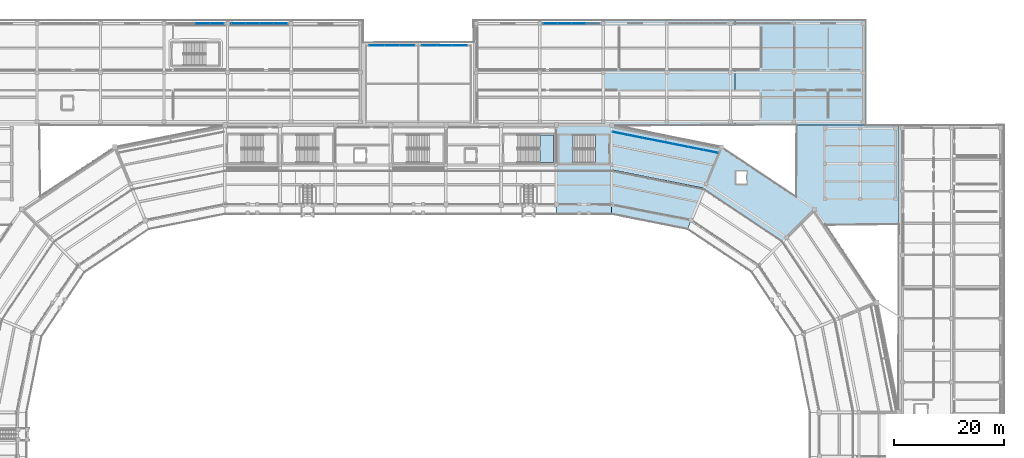
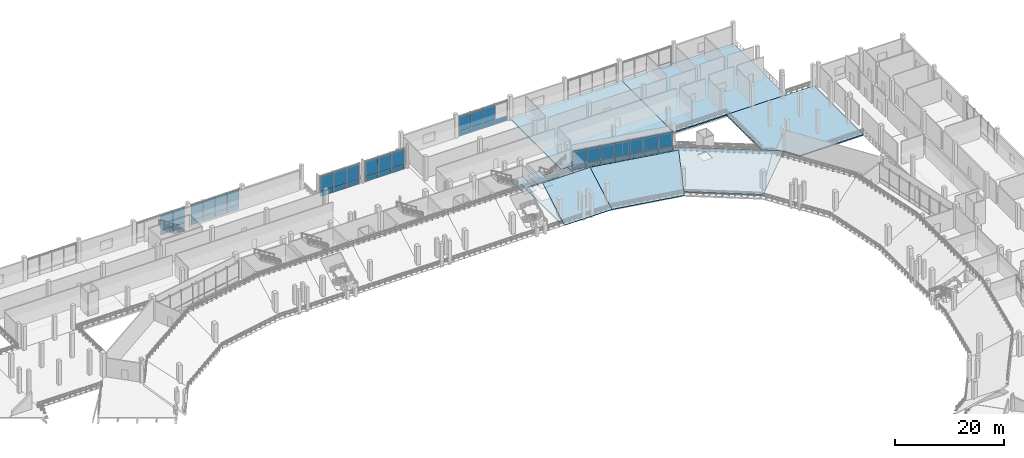
# One storey, part 70 of 127: 45 plates, 10 slabs, 8 elements without a shape of their own.
"""IFC4 building model written with IfcOpenShell, lengths in metres."""

from ifc_helpers import new_model, si_unit, direction, frame, origin, origin_2d, place, context, subcontext, project, spatial, polyline, rectangle, outline, extrude, material, layer, layer_set, type_object, element, aggregate, save


model = new_model("IFC4")

# Units and contexts
model_context = context("Model", 3, precision=1e-05, world=origin(), true_north=direction((0.0, 1.0)))
body_context = subcontext(model_context, "Body", "Model", "MODEL_VIEW")
ifc_project = project(units=[si_unit("LENGTHUNIT", "METRE"), si_unit("AREAUNIT", "SQUARE_METRE"), si_unit("VOLUMEUNIT", "CUBIC_METRE"), si_unit("PLANEANGLEUNIT", "RADIAN"), si_unit("MASSUNIT", "GRAM", prefix="KILO")], contexts=[model_context])

# Site, building, storey
site_placement = place(None, origin())
site = spatial("IfcSite", under=ifc_project, at=site_placement, CompositionType="ELEMENT")
building_placement = place(site_placement, origin())
building = spatial("IfcBuilding", under=site, at=building_placement, Name="Candeia Ridge Stadium", CompositionType="ELEMENT")
storey_placement = place(building_placement, frame((0.0, 0.0, 10.800048828125)))
storey = spatial("IfcBuildingStorey", under=building, at=storey_placement, Name="L02", CompositionType="ELEMENT", Elevation=10.800048828125)

# Slabs
ifc_material_1 = material(Name="Precast concrete C45/55", Category="concrete")
ifc_layer_1 = layer(ifc_material_1, 0.22509765625, Name="Precast concrete C45/55", Category="concrete")
ifc_layer_set_1 = layer_set([ifc_layer_1], Name="Precast concrete C45/55")
slab_type_1 = type_object("IfcSlabType", Name="Club Seating Tier Precast 225", PredefinedType="USERDEFINED", material=ifc_layer_set_1)
slab_1_placement = place(storey_placement, frame((141.0, 130.800048828125, 0.39990234375), z_axis=(0.0, -0.494386728352, 0.869242062276), x_axis=(-1.0, 0.0, 0.0)))
element("IfcSlab", 1, at=slab_1_placement, inside=storey, type_object=slab_type_1, Name="Stand Club Tier Stands Bay 01", ObjectType="SEATING TIER", PredefinedType="USERDEFINED", context=body_context, shape_type="SweptSolid", body=[
    extrude(outline(polyline([(0.0, 0.0), (10.0, 0.0), (10.0, -9.203420252184602), (0.0, -9.203420252184602), (0.0, 0.0)])), origin(), (0.0, 0.0, -1.0), 0.22509765625),
])
slab_2_placement = place(storey_placement, frame((154.699951171875, 128.074951171875, 0.39990234375), z_axis=(-0.097864069881, -0.492009659407, 0.86507174204), x_axis=(-0.980785461692, 0.195089410595, 2.563371e-06)))
element("IfcSlab", 2, at=slab_2_placement, inside=storey, type_object=slab_type_1, Name="Stand Club Tier Stands Bay 36", ObjectType="SEATING TIER", PredefinedType="USERDEFINED", context=body_context, shape_type="SweptSolid", body=[
    extrude(outline(polyline([(0.0, 0.0), (13.96835063084204, 0.0), (15.529077579060049, -9.070119940205563), (-1.5612369801437325, -9.070278646793197), (0.0, 0.0)])), origin(), (0.0, 0.0, -1.0), 0.22509765625),
])
ifc_material_2 = material(Name="Concrete C40/50", Category="concrete")
ifc_layer_2 = layer(ifc_material_2, 0.260009765625, Name="Concrete C40/50", Category="concrete")
ifc_layer_set_2 = layer_set([ifc_layer_2], Name="Concrete C40/50")
slab_type_2 = type_object("IfcSlabType", Name="Concourse Structural Slab 260", PredefinedType="FLOOR", material=ifc_layer_set_2)
slab_3_placement = place(storey_placement, frame((0.0, 0.0, -0.260009765625)))
element("IfcSlab", 3, at=slab_3_placement, inside=storey, type_object=slab_type_2, Name="Wing floor slab ne_n SLB-L02-0269", PredefinedType="FLOOR", context=body_context, shape_type="SweptSolid", body=[
    extrude(outline(polyline([(139.666748046875, 147.0), (139.666748046875, 166.0), (163.333251953125, 166.0), (163.333251953125, 147.0), (139.666748046875, 147.0)])), origin(), (0.0, 0.0, 1.0), 0.260009765625),
])
slab_4_placement = place(storey_placement, frame((0.0, 0.0, -0.260009765625)))
element("IfcSlab", 4, at=slab_4_placement, inside=storey, type_object=slab_type_2, Name="Wing floor slab ne_n SLB-L02-0270", PredefinedType="FLOOR", context=body_context, shape_type="SweptSolid", body=[
    extrude(outline(polyline([(163.333251953125, 147.0), (163.333251953125, 166.0), (187.0, 166.0), (187.0, 147.0), (163.333251953125, 147.0)])), origin(), (0.0, 0.0, 1.0), 0.260009765625),
])

# Stair, slab
stair_type = type_object("IfcStairType", Name="Enclosed Core Half-Turn Stair 2450", PredefinedType="HALF_TURN_STAIR", material=ifc_material_2)
stair_1_placement = place(storey_placement, origin())
stair_1 = element("IfcStair", 5, at=stair_1_placement, inside=storey, type_object=stair_type, Name="L02 Enclosed exit stair ST04", PredefinedType="HALF_TURN_STAIR")
ifc_layer_3 = layer(ifc_material_2, 0.199951171875, Name="Concrete C40/50", Category="concrete")
ifc_layer_set_3 = layer_set([ifc_layer_3], Name="Concrete C40/50")
slab_type_3 = type_object("IfcSlabType", Name="Core Stair Landing Slab 200", PredefinedType="LANDING", material=ifc_layer_set_3)
slab_5_placement = place(storey_placement, frame((0.0, 0.0, 2.5)))
slab_5 = element("IfcSlab", 6, at=slab_5_placement, type_object=slab_type_3, Name="ST04 landing 1", PredefinedType="LANDING", context=body_context, shape_type="SweptSolid", body=[
    extrude(outline(polyline([(133.989990234375, 145.199951171875), (131.5, 145.199951171875), (131.5, 140.14990234375), (133.989990234375, 140.14990234375), (133.989990234375, 145.199951171875)])), origin(), (0.0, 0.0, 1.0), 0.199951171875),
])
aggregate(stair_1, [slab_5])

stair_2_placement = place(storey_placement, origin())
stair_2 = element("IfcStair", 7, at=stair_2_placement, inside=storey, type_object=stair_type, Name="L02 Enclosed exit stair ST10", PredefinedType="HALF_TURN_STAIR")
slab_6_placement = place(storey_placement, frame((0.0, 0.0, 2.5)))
slab_6 = element("IfcSlab", 8, at=slab_6_placement, type_object=slab_type_3, Name="ST10 landing 1", PredefinedType="LANDING", context=body_context, shape_type="SweptSolid", body=[
    extrude(outline(polyline([(128.010009765625, 140.199951171875), (130.5, 140.199951171875), (130.5, 145.25), (128.010009765625, 145.25), (128.010009765625, 140.199951171875)])), origin(), (0.0, 0.0, 1.0), 0.199951171875),
])
aggregate(stair_2, [slab_6])

# Curtain wall, plates
ifc_material_3 = material(Name="Aluminium Anodized Warm Bronze", Category="aluminium")
curtain_wall_type_1 = type_object("IfcCurtainWallType", Name="Cardinal Entrance Gate Tall Glazed Curtain Wall", PredefinedType="NOTDEFINED", material=ifc_material_3)
curtain_wall_1_placement = place(storey_placement, origin())
curtain_wall_1 = element("IfcCurtainWall", 9, at=curtain_wall_1_placement, inside=storey, type_object=curtain_wall_type_1, Name="Unitised curtain wall CW-WNG-L02-155", PredefinedType="NOTDEFINED")
ifc_material_4 = material(Name="Laminated Acoustic Glazing", Category="glass")
ifc_layer_4 = layer(ifc_material_4, 0.035888671875, Name="Laminated Acoustic Glazing", Category="glass")
ifc_layer_set_4 = layer_set([ifc_layer_4], Name="Laminated Acoustic Glazing")
plate_type_1 = type_object("IfcPlateType", Name="Gate Tall Laminated Glass Panel GP3", PredefinedType="CURTAIN_PANEL", material=ifc_layer_set_4)
plate_1_placement = place(storey_placement, frame((98.523193359375, 161.39990234375, 1.139892578125), z_axis=(0.0, 0.0, 1.0), x_axis=(1.0, 0.0, 0.0)))
plate_1 = element("IfcPlate", 10, at=plate_1_placement, type_object=plate_type_1, Name="Curtain wall vision glass panel CW-WNG-L02-155-GP0", PredefinedType="CURTAIN_PANEL", context=body_context, shape_type="SweptSolid", body=[
    extrude(rectangle(XDim=2.65673828125, YDim=0.035888671875, at=origin_2d()), origin(), (0.0, 0.0, 1.0), 3.39208984375),
])
plate_2_placement = place(storey_placement, frame((101.25, 161.39990234375, 1.139892578125), z_axis=(0.0, 0.0, 1.0), x_axis=(1.0, 0.0, 0.0)))
plate_2 = element("IfcPlate", 11, at=plate_2_placement, type_object=plate_type_1, Name="Curtain wall vision glass panel CW-WNG-L02-155-GP1", PredefinedType="CURTAIN_PANEL", context=body_context, shape_type="SweptSolid", body=[
    extrude(rectangle(XDim=2.65673828125, YDim=0.035888671875, at=origin_2d()), origin(), (0.0, 0.0, 1.0), 3.39208984375),
])
plate_3_placement = place(storey_placement, frame((103.976806640625, 161.39990234375, 1.139892578125), z_axis=(0.0, 0.0, 1.0), x_axis=(1.0, 0.0, 0.0)))
plate_3 = element("IfcPlate", 12, at=plate_3_placement, type_object=plate_type_1, Name="Curtain wall vision glass panel CW-WNG-L02-155-GP2", PredefinedType="CURTAIN_PANEL", context=body_context, shape_type="SweptSolid", body=[
    extrude(rectangle(XDim=2.65673828125, YDim=0.035888671875, at=origin_2d()), origin(), (0.0, 0.0, 1.0), 3.39208984375),
])

curtain_wall_2_placement = place(storey_placement, origin())
curtain_wall_2 = element("IfcCurtainWall", 13, at=curtain_wall_2_placement, inside=storey, type_object=curtain_wall_type_1, Name="Unitised curtain wall CW-WNG-L02-156", PredefinedType="NOTDEFINED")
plate_4_placement = place(storey_placement, frame((108.023193359375, 161.39990234375, 1.139892578125), z_axis=(0.0, 0.0, 1.0), x_axis=(1.0, 0.0, 0.0)))
plate_4 = element("IfcPlate", 14, at=plate_4_placement, type_object=plate_type_1, Name="Curtain wall vision glass panel CW-WNG-L02-156-GP0", PredefinedType="CURTAIN_PANEL", context=body_context, shape_type="SweptSolid", body=[
    extrude(rectangle(XDim=2.65673828125, YDim=0.035888671875, at=origin_2d()), origin(), (0.0, 0.0, 1.0), 3.39208984375),
])
plate_5_placement = place(storey_placement, frame((110.75, 161.39990234375, 1.139892578125), z_axis=(0.0, 0.0, 1.0), x_axis=(1.0, 0.0, 0.0)))
plate_5 = element("IfcPlate", 15, at=plate_5_placement, type_object=plate_type_1, Name="Curtain wall vision glass panel CW-WNG-L02-156-GP1", PredefinedType="CURTAIN_PANEL", context=body_context, shape_type="SweptSolid", body=[
    extrude(rectangle(XDim=2.65673828125, YDim=0.035888671875, at=origin_2d()), origin(), (0.0, 0.0, 1.0), 3.39208984375),
])
plate_6_placement = place(storey_placement, frame((113.476806640625, 161.39990234375, 1.139892578125), z_axis=(0.0, 0.0, 1.0), x_axis=(1.0, 0.0, 0.0)))
plate_6 = element("IfcPlate", 16, at=plate_6_placement, type_object=plate_type_1, Name="Curtain wall vision glass panel CW-WNG-L02-156-GP2", PredefinedType="CURTAIN_PANEL", context=body_context, shape_type="SweptSolid", body=[
    extrude(rectangle(XDim=2.65673828125, YDim=0.035888671875, at=origin_2d()), origin(), (0.0, 0.0, 1.0), 3.39208984375),
])

# Slabs
ifc_layer_5 = layer(ifc_material_2, 0.25, Name="Concrete C40/50", Category="concrete")
ifc_layer_set_5 = layer_set([ifc_layer_5], Name="Concrete C40/50")
slab_type_4 = type_object("IfcSlabType", Name="Hospitality & Museum Slab 250", PredefinedType="FLOOR", material=ifc_layer_set_5)
slab_7_placement = place(storey_placement, frame((0.0, 0.0, -0.25)))
element("IfcSlab", 17, at=slab_7_placement, inside=storey, type_object=slab_type_4, Name="Bowl concourse sector slab L02 bay 01 SLB-L02-0073", PredefinedType="FLOOR", context=body_context, shape_type="SweptSolid", body=[
    extrude(outline(polyline([(131.0, 132.60009765625), (131.0, 147.0), (140.9599609375, 147.0), (140.9599609375, 132.60009765625), (131.0, 132.60009765625)]), holes=[polyline([(138.04931640625, 145.199951171875), (131.5, 145.199951171875), (131.5, 140.14990234375), (138.04931640625, 140.14990234375), (138.04931640625, 145.199951171875)])]), origin(), (0.0, 0.0, 1.0), 0.25),
])
slab_8_placement = place(storey_placement, frame((0.0, 0.0, -0.25)))
element("IfcSlab", 18, at=slab_8_placement, inside=storey, type_object=slab_type_4, Name="Bowl concourse sector slab L02 bay 35 SLB-L02-0107", PredefinedType="FLOOR", context=body_context, shape_type="SweptSolid", body=[
    extrude(outline(polyline([(155.388916015625, 129.73779296875), (160.8994140625, 143.041748046875), (177.76953125, 131.76953125), (167.587158203125, 121.587158203125), (155.388916015625, 129.73779296875)]), holes=[polyline([(165.449951171875, 136.35009765625), (165.449951171875, 138.64990234375), (163.550048828125, 138.64990234375), (163.550048828125, 136.35009765625), (165.449951171875, 136.35009765625)])]), origin(), (0.0, 0.0, 1.0), 0.25),
])
slab_9_placement = place(storey_placement, frame((0.0, 0.0, -0.25)))
element("IfcSlab", 19, at=slab_9_placement, inside=storey, type_object=slab_type_4, Name="Bowl concourse sector slab L02 bay 36 SLB-L02-0108", PredefinedType="FLOOR", context=body_context, shape_type="SweptSolid", body=[
    extrude(outline(polyline([(141.039306640625, 132.59228515625), (141.039306640625, 146.9921875), (160.8994140625, 143.041748046875), (155.388916015625, 129.73779296875), (141.039306640625, 132.59228515625)])), origin(), (0.0, 0.0, 1.0), 0.25),
])
slab_10_placement = place(storey_placement, frame((0.0, 0.0, -0.25)))
element("IfcSlab", 20, at=slab_10_placement, inside=storey, type_object=slab_type_4, Name="Wing floor slab sp_ne SLB-L02-0275", PredefinedType="FLOOR", context=body_context, shape_type="SweptSolid", body=[
    extrude(outline(polyline([(193.0, 147.0), (193.0, 129.0), (179.626220703125, 129.0), (177.773681640625, 131.772216796875), (177.7734375, 131.772705078125), (177.773193359375, 131.773193359375), (177.772705078125, 131.7734375), (177.772216796875, 131.773681640625), (174.5, 133.960205078125), (174.5, 147.0), (193.0, 147.0)])), origin(), (0.0, 0.0, 1.0), 0.25),
])

# Curtain wall, plates
curtain_wall_type_2 = type_object("IfcCurtainWallType", Name="Concourse Recessed Unitised Curtain Wall", PredefinedType="NOTDEFINED", material=ifc_material_3)
curtain_wall_3_placement = place(storey_placement, origin())
curtain_wall_3 = element("IfcCurtainWall", 21, at=curtain_wall_3_placement, inside=storey, type_object=curtain_wall_type_2, Name="Unitised curtain wall CW-BWL-L02-35", PredefinedType="NOTDEFINED")
ifc_material_5 = material(Name="Aluminium Insulated Spandrel", Category="aluminium")
ifc_layer_6 = layer(ifc_material_5, 0.06494140625, Name="Aluminium Insulated Spandrel", Category="aluminium")
ifc_layer_set_6 = layer_set([ifc_layer_6], Name="Aluminium Insulated Spandrel")
plate_type_2 = type_object("IfcPlateType", Name="Insulated Bronze Spandrel Panel SP2", PredefinedType="CURTAIN_PANEL", material=ifc_layer_set_6)
plate_7_placement = place(storey_placement, frame((158.900390625, 142.239501953125, 0.0400390625), z_axis=(0.0, 0.0, 1.0), x_axis=(-0.980785280696, 0.195090320544, 0.0)))
plate_7 = element("IfcPlate", 22, at=plate_7_placement, type_object=plate_type_2, Name="Curtain wall spandrel panel CW-BWL-L02-35-SP0", PredefinedType="CURTAIN_PANEL", context=body_context, shape_type="SweptSolid", body=[
    extrude(rectangle(XDim=2.710205078125, YDim=0.06494140625, at=origin_2d()), origin(), (0.0, 0.0, 1.0), 0.973876953125),
])
plate_8_placement = place(storey_placement, frame((156.173583984375, 142.78173828125, 0.0400390625), z_axis=(0.0, 0.0, 1.0), x_axis=(-0.980785280696, 0.195090320544, 0.0)))
plate_8 = element("IfcPlate", 23, at=plate_8_placement, type_object=plate_type_2, Name="Curtain wall spandrel panel CW-BWL-L02-35-SP1", PredefinedType="CURTAIN_PANEL", context=body_context, shape_type="SweptSolid", body=[
    extrude(rectangle(XDim=2.710205078125, YDim=0.06494140625, at=origin_2d()), origin(), (0.0, 0.0, 1.0), 0.973876953125),
])
plate_9_placement = place(storey_placement, frame((153.447021484375, 143.32421875, 0.0400390625), z_axis=(0.0, 0.0, 1.0), x_axis=(-0.980785280696, 0.195090320544, 0.0)))
plate_9 = element("IfcPlate", 24, at=plate_9_placement, type_object=plate_type_2, Name="Curtain wall spandrel panel CW-BWL-L02-35-SP2", PredefinedType="CURTAIN_PANEL", context=body_context, shape_type="SweptSolid", body=[
    extrude(rectangle(XDim=2.710205078125, YDim=0.06494140625, at=origin_2d()), origin(), (0.0, 0.0, 1.0), 0.973876953125),
])
plate_10_placement = place(storey_placement, frame((150.72021484375, 143.86669921875, 0.0400390625), z_axis=(0.0, 0.0, 1.0), x_axis=(-0.980785280696, 0.195090320544, 0.0)))
plate_10 = element("IfcPlate", 25, at=plate_10_placement, type_object=plate_type_2, Name="Curtain wall spandrel panel CW-BWL-L02-35-SP3", PredefinedType="CURTAIN_PANEL", context=body_context, shape_type="SweptSolid", body=[
    extrude(rectangle(XDim=2.710205078125, YDim=0.06494140625, at=origin_2d()), origin(), (0.0, 0.0, 1.0), 0.973876953125),
])
plate_11_placement = place(storey_placement, frame((147.993408203125, 144.408935546875, 0.0400390625), z_axis=(0.0, 0.0, 1.0), x_axis=(-0.980785280696, 0.195090320544, 0.0)))
plate_11 = element("IfcPlate", 26, at=plate_11_placement, type_object=plate_type_2, Name="Curtain wall spandrel panel CW-BWL-L02-35-SP4", PredefinedType="CURTAIN_PANEL", context=body_context, shape_type="SweptSolid", body=[
    extrude(rectangle(XDim=2.710205078125, YDim=0.06494140625, at=origin_2d()), origin(), (0.0, 0.0, 1.0), 0.973876953125),
])
plate_12_placement = place(storey_placement, frame((145.2666015625, 144.951416015625, 0.0400390625), z_axis=(0.0, 0.0, 1.0), x_axis=(-0.980785280696, 0.195090320544, 0.0)))
plate_12 = element("IfcPlate", 27, at=plate_12_placement, type_object=plate_type_2, Name="Curtain wall spandrel panel CW-BWL-L02-35-SP5", PredefinedType="CURTAIN_PANEL", context=body_context, shape_type="SweptSolid", body=[
    extrude(rectangle(XDim=2.710205078125, YDim=0.06494140625, at=origin_2d()), origin(), (0.0, 0.0, 1.0), 0.973876953125),
])
plate_13_placement = place(storey_placement, frame((142.539794921875, 145.49365234375, 0.0400390625), z_axis=(0.0, 0.0, 1.0), x_axis=(-0.980785280696, 0.195090320544, 0.0)))
plate_13 = element("IfcPlate", 28, at=plate_13_placement, type_object=plate_type_2, Name="Curtain wall spandrel panel CW-BWL-L02-35-SP6", PredefinedType="CURTAIN_PANEL", context=body_context, shape_type="SweptSolid", body=[
    extrude(rectangle(XDim=2.710205078125, YDim=0.06494140625, at=origin_2d()), origin(), (0.0, 0.0, 1.0), 0.973876953125),
])

curtain_wall_type_3 = type_object("IfcCurtainWallType", Name="Museum & Boulevard Showcase Curtain Wall", PredefinedType="NOTDEFINED", material=ifc_material_3)
curtain_wall_4_placement = place(storey_placement, origin())
curtain_wall_4 = element("IfcCurtainWall", 29, at=curtain_wall_4_placement, inside=storey, type_object=curtain_wall_type_3, Name="Unitised curtain wall CW-WNG-L02-150", PredefinedType="NOTDEFINED")
ifc_layer_7 = layer(ifc_material_5, 0.06494140625, Name="Aluminium Insulated Spandrel", Category="aluminium")
ifc_layer_set_7 = layer_set([ifc_layer_7], Name="Aluminium Insulated Spandrel")
plate_type_3 = type_object("IfcPlateType", Name="Insulated Cedar-Tone Spandrel Panel SP3", PredefinedType="CURTAIN_PANEL", material=ifc_layer_set_7)
plate_14_placement = place(storey_placement, frame((67.0224609375, 165.39990234375, 0.0400390625), z_axis=(0.0, 0.0, 1.0), x_axis=(1.0, 0.0, 0.0)))
plate_14 = element("IfcPlate", 30, at=plate_14_placement, type_object=plate_type_3, Name="Curtain wall spandrel panel CW-WNG-L02-150-SP2", PredefinedType="CURTAIN_PANEL", context=body_context, shape_type="SweptSolid", body=[
    extrude(rectangle(XDim=2.47509765625, YDim=0.06494140625, at=origin_2d()), origin(), (0.0, 0.0, 1.0), 1.02001953125),
])
plate_15_placement = place(storey_placement, frame((69.5673828125, 165.39990234375, 0.0400390625), z_axis=(0.0, 0.0, 1.0), x_axis=(1.0, 0.0, 0.0)))
plate_15 = element("IfcPlate", 31, at=plate_15_placement, type_object=plate_type_3, Name="Curtain wall spandrel panel CW-WNG-L02-150-SP3", PredefinedType="CURTAIN_PANEL", context=body_context, shape_type="SweptSolid", body=[
    extrude(rectangle(XDim=2.47509765625, YDim=0.06494140625, at=origin_2d()), origin(), (0.0, 0.0, 1.0), 1.02001953125),
])

curtain_wall_5_placement = place(storey_placement, origin())
curtain_wall_5 = element("IfcCurtainWall", 32, at=curtain_wall_5_placement, inside=storey, type_object=curtain_wall_type_3, Name="Unitised curtain wall CW-WNG-L02-151", PredefinedType="NOTDEFINED")
plate_16_placement = place(storey_placement, frame((73.4326171875, 165.39990234375, 0.0400390625), z_axis=(0.0, 0.0, 1.0), x_axis=(1.0, 0.0, 0.0)))
plate_16 = element("IfcPlate", 33, at=plate_16_placement, type_object=plate_type_3, Name="Curtain wall spandrel panel CW-WNG-L02-151-SP0", PredefinedType="CURTAIN_PANEL", context=body_context, shape_type="SweptSolid", body=[
    extrude(rectangle(XDim=2.47509765625, YDim=0.06494140625, at=origin_2d()), origin(), (0.0, 0.0, 1.0), 1.02001953125),
])
plate_17_placement = place(storey_placement, frame((75.9775390625, 165.39990234375, 0.0400390625), z_axis=(0.0, 0.0, 1.0), x_axis=(1.0, 0.0, 0.0)))
plate_17 = element("IfcPlate", 34, at=plate_17_placement, type_object=plate_type_3, Name="Curtain wall spandrel panel CW-WNG-L02-151-SP1", PredefinedType="CURTAIN_PANEL", context=body_context, shape_type="SweptSolid", body=[
    extrude(rectangle(XDim=2.47509765625, YDim=0.06494140625, at=origin_2d()), origin(), (0.0, 0.0, 1.0), 1.02001953125),
])
plate_18_placement = place(storey_placement, frame((78.5224609375, 165.39990234375, 0.0400390625), z_axis=(0.0, 0.0, 1.0), x_axis=(1.0, 0.0, 0.0)))
plate_18 = element("IfcPlate", 35, at=plate_18_placement, type_object=plate_type_3, Name="Curtain wall spandrel panel CW-WNG-L02-151-SP2", PredefinedType="CURTAIN_PANEL", context=body_context, shape_type="SweptSolid", body=[
    extrude(rectangle(XDim=2.47509765625, YDim=0.06494140625, at=origin_2d()), origin(), (0.0, 0.0, 1.0), 1.02001953125),
])
plate_19_placement = place(storey_placement, frame((81.0673828125, 165.39990234375, 0.0400390625), z_axis=(0.0, 0.0, 1.0), x_axis=(1.0, 0.0, 0.0)))
plate_19 = element("IfcPlate", 36, at=plate_19_placement, type_object=plate_type_3, Name="Curtain wall spandrel panel CW-WNG-L02-151-SP3", PredefinedType="CURTAIN_PANEL", context=body_context, shape_type="SweptSolid", body=[
    extrude(rectangle(XDim=2.47509765625, YDim=0.06494140625, at=origin_2d()), origin(), (0.0, 0.0, 1.0), 1.02001953125),
])

curtain_wall_6_placement = place(storey_placement, origin())
curtain_wall_6 = element("IfcCurtainWall", 37, at=curtain_wall_6_placement, inside=storey, type_object=curtain_wall_type_3, Name="Unitised curtain wall CW-WNG-L02-152", PredefinedType="NOTDEFINED")
plate_20_placement = place(storey_placement, frame((129.9326171875, 165.39990234375, 0.0400390625), z_axis=(0.0, 0.0, 1.0), x_axis=(1.0, 0.0, 0.0)))
plate_20 = element("IfcPlate", 38, at=plate_20_placement, type_object=plate_type_3, Name="Curtain wall spandrel panel CW-WNG-L02-152-SP0", PredefinedType="CURTAIN_PANEL", context=body_context, shape_type="SweptSolid", body=[
    extrude(rectangle(XDim=2.47509765625, YDim=0.06494140625, at=origin_2d()), origin(), (0.0, 0.0, 1.0), 1.02001953125),
])
plate_21_placement = place(storey_placement, frame((132.4775390625, 165.39990234375, 0.0400390625), z_axis=(0.0, 0.0, 1.0), x_axis=(1.0, 0.0, 0.0)))
plate_21 = element("IfcPlate", 39, at=plate_21_placement, type_object=plate_type_3, Name="Curtain wall spandrel panel CW-WNG-L02-152-SP1", PredefinedType="CURTAIN_PANEL", context=body_context, shape_type="SweptSolid", body=[
    extrude(rectangle(XDim=2.47509765625, YDim=0.06494140625, at=origin_2d()), origin(), (0.0, 0.0, 1.0), 1.02001953125),
])
plate_22_placement = place(storey_placement, frame((135.0224609375, 165.39990234375, 0.0400390625), z_axis=(0.0, 0.0, 1.0), x_axis=(1.0, 0.0, 0.0)))
plate_22 = element("IfcPlate", 40, at=plate_22_placement, type_object=plate_type_3, Name="Curtain wall spandrel panel CW-WNG-L02-152-SP2", PredefinedType="CURTAIN_PANEL", context=body_context, shape_type="SweptSolid", body=[
    extrude(rectangle(XDim=2.47509765625, YDim=0.06494140625, at=origin_2d()), origin(), (0.0, 0.0, 1.0), 1.02001953125),
])
plate_23_placement = place(storey_placement, frame((137.5673828125, 165.39990234375, 0.0400390625), z_axis=(0.0, 0.0, 1.0), x_axis=(1.0, 0.0, 0.0)))
plate_23 = element("IfcPlate", 41, at=plate_23_placement, type_object=plate_type_3, Name="Curtain wall spandrel panel CW-WNG-L02-152-SP3", PredefinedType="CURTAIN_PANEL", context=body_context, shape_type="SweptSolid", body=[
    extrude(rectangle(XDim=2.47509765625, YDim=0.06494140625, at=origin_2d()), origin(), (0.0, 0.0, 1.0), 1.02001953125),
])

# Plate
plate_24_placement = place(storey_placement, frame((98.523193359375, 161.39990234375, 0.0400390625), z_axis=(0.0, 0.0, 1.0), x_axis=(1.0, 0.0, 0.0)))
plate_24 = element("IfcPlate", 42, at=plate_24_placement, type_object=plate_type_3, Name="Curtain wall spandrel panel CW-WNG-L02-155-SP0", PredefinedType="CURTAIN_PANEL", context=body_context, shape_type="SweptSolid", body=[
    extrude(rectangle(XDim=2.65673828125, YDim=0.06494140625, at=origin_2d()), origin(), (0.0, 0.0, 1.0), 1.02001953125),
])

plate_25_placement = place(storey_placement, frame((101.25, 161.39990234375, 0.0400390625), z_axis=(0.0, 0.0, 1.0), x_axis=(1.0, 0.0, 0.0)))
plate_25 = element("IfcPlate", 43, at=plate_25_placement, type_object=plate_type_3, Name="Curtain wall spandrel panel CW-WNG-L02-155-SP1", PredefinedType="CURTAIN_PANEL", context=body_context, shape_type="SweptSolid", body=[
    extrude(rectangle(XDim=2.65673828125, YDim=0.06494140625, at=origin_2d()), origin(), (0.0, 0.0, 1.0), 1.02001953125),
])

plate_26_placement = place(storey_placement, frame((103.976806640625, 161.39990234375, 0.0400390625), z_axis=(0.0, 0.0, 1.0), x_axis=(1.0, 0.0, 0.0)))
plate_26 = element("IfcPlate", 44, at=plate_26_placement, type_object=plate_type_3, Name="Curtain wall spandrel panel CW-WNG-L02-155-SP2", PredefinedType="CURTAIN_PANEL", context=body_context, shape_type="SweptSolid", body=[
    extrude(rectangle(XDim=2.65673828125, YDim=0.06494140625, at=origin_2d()), origin(), (0.0, 0.0, 1.0), 1.02001953125),
])

aggregate(curtain_wall_1, [plate_24, plate_1, plate_25, plate_2, plate_26, plate_3])

plate_27_placement = place(storey_placement, frame((108.023193359375, 161.39990234375, 0.0400390625), z_axis=(0.0, 0.0, 1.0), x_axis=(1.0, 0.0, 0.0)))
plate_27 = element("IfcPlate", 45, at=plate_27_placement, type_object=plate_type_3, Name="Curtain wall spandrel panel CW-WNG-L02-156-SP0", PredefinedType="CURTAIN_PANEL", context=body_context, shape_type="SweptSolid", body=[
    extrude(rectangle(XDim=2.65673828125, YDim=0.06494140625, at=origin_2d()), origin(), (0.0, 0.0, 1.0), 1.02001953125),
])

plate_28_placement = place(storey_placement, frame((110.75, 161.39990234375, 0.0400390625), z_axis=(0.0, 0.0, 1.0), x_axis=(1.0, 0.0, 0.0)))
plate_28 = element("IfcPlate", 46, at=plate_28_placement, type_object=plate_type_3, Name="Curtain wall spandrel panel CW-WNG-L02-156-SP1", PredefinedType="CURTAIN_PANEL", context=body_context, shape_type="SweptSolid", body=[
    extrude(rectangle(XDim=2.65673828125, YDim=0.06494140625, at=origin_2d()), origin(), (0.0, 0.0, 1.0), 1.02001953125),
])

plate_29_placement = place(storey_placement, frame((113.476806640625, 161.39990234375, 0.0400390625), z_axis=(0.0, 0.0, 1.0), x_axis=(1.0, 0.0, 0.0)))
plate_29 = element("IfcPlate", 47, at=plate_29_placement, type_object=plate_type_3, Name="Curtain wall spandrel panel CW-WNG-L02-156-SP2", PredefinedType="CURTAIN_PANEL", context=body_context, shape_type="SweptSolid", body=[
    extrude(rectangle(XDim=2.65673828125, YDim=0.06494140625, at=origin_2d()), origin(), (0.0, 0.0, 1.0), 1.02001953125),
])

aggregate(curtain_wall_2, [plate_27, plate_4, plate_28, plate_5, plate_29, plate_6])

ifc_material_6 = material(Name="Tempered Low-E Double Glazing", Category="glass")
ifc_layer_8 = layer(ifc_material_6, 0.035888671875, Name="Tempered Low-E Double Glazing", Category="glass")
ifc_layer_set_8 = layer_set([ifc_layer_8], Name="Tempered Low-E Double Glazing")
plate_type_4 = type_object("IfcPlateType", Name="Pavilion Panorama Glass Panel GP4", PredefinedType="CURTAIN_PANEL", material=ifc_layer_set_8)
plate_30_placement = place(storey_placement, frame((67.0224609375, 165.39990234375, 1.139892578125), z_axis=(0.0, 0.0, 1.0), x_axis=(1.0, 0.0, 0.0)))
plate_30 = element("IfcPlate", 48, at=plate_30_placement, type_object=plate_type_4, Name="Curtain wall vision glass panel CW-WNG-L02-150-GP2", PredefinedType="CURTAIN_PANEL", context=body_context, shape_type="SweptSolid", body=[
    extrude(rectangle(XDim=2.47509765625, YDim=0.035888671875, at=origin_2d()), origin(), (0.0, 0.0, 1.0), 3.27490234375),
])

plate_31_placement = place(storey_placement, frame((69.5673828125, 165.39990234375, 1.139892578125), z_axis=(0.0, 0.0, 1.0), x_axis=(1.0, 0.0, 0.0)))
plate_31 = element("IfcPlate", 49, at=plate_31_placement, type_object=plate_type_4, Name="Curtain wall vision glass panel CW-WNG-L02-150-GP3", PredefinedType="CURTAIN_PANEL", context=body_context, shape_type="SweptSolid", body=[
    extrude(rectangle(XDim=2.47509765625, YDim=0.035888671875, at=origin_2d()), origin(), (0.0, 0.0, 1.0), 3.27490234375),
])

aggregate(curtain_wall_4, [plate_14, plate_30, plate_15, plate_31])

plate_32_placement = place(storey_placement, frame((73.4326171875, 165.39990234375, 1.139892578125), z_axis=(0.0, 0.0, 1.0), x_axis=(1.0, 0.0, 0.0)))
plate_32 = element("IfcPlate", 50, at=plate_32_placement, type_object=plate_type_4, Name="Curtain wall vision glass panel CW-WNG-L02-151-GP0", PredefinedType="CURTAIN_PANEL", context=body_context, shape_type="SweptSolid", body=[
    extrude(rectangle(XDim=2.47509765625, YDim=0.035888671875, at=origin_2d()), origin(), (0.0, 0.0, 1.0), 3.27490234375),
])

plate_33_placement = place(storey_placement, frame((75.9775390625, 165.39990234375, 1.139892578125), z_axis=(0.0, 0.0, 1.0), x_axis=(1.0, 0.0, 0.0)))
plate_33 = element("IfcPlate", 51, at=plate_33_placement, type_object=plate_type_4, Name="Curtain wall vision glass panel CW-WNG-L02-151-GP1", PredefinedType="CURTAIN_PANEL", context=body_context, shape_type="SweptSolid", body=[
    extrude(rectangle(XDim=2.47509765625, YDim=0.035888671875, at=origin_2d()), origin(), (0.0, 0.0, 1.0), 3.27490234375),
])

plate_34_placement = place(storey_placement, frame((78.5224609375, 165.39990234375, 1.139892578125), z_axis=(0.0, 0.0, 1.0), x_axis=(1.0, 0.0, 0.0)))
plate_34 = element("IfcPlate", 52, at=plate_34_placement, type_object=plate_type_4, Name="Curtain wall vision glass panel CW-WNG-L02-151-GP2", PredefinedType="CURTAIN_PANEL", context=body_context, shape_type="SweptSolid", body=[
    extrude(rectangle(XDim=2.47509765625, YDim=0.035888671875, at=origin_2d()), origin(), (0.0, 0.0, 1.0), 3.27490234375),
])

plate_35_placement = place(storey_placement, frame((81.0673828125, 165.39990234375, 1.139892578125), z_axis=(0.0, 0.0, 1.0), x_axis=(1.0, 0.0, 0.0)))
plate_35 = element("IfcPlate", 53, at=plate_35_placement, type_object=plate_type_4, Name="Curtain wall vision glass panel CW-WNG-L02-151-GP3", PredefinedType="CURTAIN_PANEL", context=body_context, shape_type="SweptSolid", body=[
    extrude(rectangle(XDim=2.47509765625, YDim=0.035888671875, at=origin_2d()), origin(), (0.0, 0.0, 1.0), 3.27490234375),
])

aggregate(curtain_wall_5, [plate_16, plate_32, plate_17, plate_33, plate_18, plate_34, plate_19, plate_35])

plate_36_placement = place(storey_placement, frame((129.9326171875, 165.39990234375, 1.139892578125), z_axis=(0.0, 0.0, 1.0), x_axis=(1.0, 0.0, 0.0)))
plate_36 = element("IfcPlate", 54, at=plate_36_placement, type_object=plate_type_4, Name="Curtain wall vision glass panel CW-WNG-L02-152-GP0", PredefinedType="CURTAIN_PANEL", context=body_context, shape_type="SweptSolid", body=[
    extrude(rectangle(XDim=2.47509765625, YDim=0.035888671875, at=origin_2d()), origin(), (0.0, 0.0, 1.0), 3.27490234375),
])

plate_37_placement = place(storey_placement, frame((132.4775390625, 165.39990234375, 1.139892578125), z_axis=(0.0, 0.0, 1.0), x_axis=(1.0, 0.0, 0.0)))
plate_37 = element("IfcPlate", 55, at=plate_37_placement, type_object=plate_type_4, Name="Curtain wall vision glass panel CW-WNG-L02-152-GP1", PredefinedType="CURTAIN_PANEL", context=body_context, shape_type="SweptSolid", body=[
    extrude(rectangle(XDim=2.47509765625, YDim=0.035888671875, at=origin_2d()), origin(), (0.0, 0.0, 1.0), 3.27490234375),
])

plate_38_placement = place(storey_placement, frame((135.0224609375, 165.39990234375, 1.139892578125), z_axis=(0.0, 0.0, 1.0), x_axis=(1.0, 0.0, 0.0)))
plate_38 = element("IfcPlate", 56, at=plate_38_placement, type_object=plate_type_4, Name="Curtain wall vision glass panel CW-WNG-L02-152-GP2", PredefinedType="CURTAIN_PANEL", context=body_context, shape_type="SweptSolid", body=[
    extrude(rectangle(XDim=2.47509765625, YDim=0.035888671875, at=origin_2d()), origin(), (0.0, 0.0, 1.0), 3.27490234375),
])

aggregate(curtain_wall_6, [plate_20, plate_36, plate_21, plate_37, plate_22, plate_38, plate_23])

ifc_layer_9 = layer(ifc_material_6, 0.035888671875, Name="Tempered Low-E Double Glazing", Category="glass")
ifc_layer_set_9 = layer_set([ifc_layer_9], Name="Tempered Low-E Double Glazing")
plate_type_5 = type_object("IfcPlateType", Name="Solar Control Vision Glass Panel GP2", PredefinedType="CURTAIN_PANEL", material=ifc_layer_set_9)
plate_39_placement = place(storey_placement, frame((158.900390625, 142.239501953125, 1.09375), z_axis=(0.0, 0.0, 1.0), x_axis=(-0.980785280696, 0.195090320544, 0.0)))
plate_39 = element("IfcPlate", 57, at=plate_39_placement, type_object=plate_type_5, Name="Curtain wall vision glass panel CW-BWL-L02-35-GP0", PredefinedType="CURTAIN_PANEL", context=body_context, shape_type="SweptSolid", body=[
    extrude(rectangle(XDim=2.710205078125, YDim=0.035888671875, at=origin_2d()), origin(), (0.0, 0.0, 1.0), 3.081298828125),
])

plate_40_placement = place(storey_placement, frame((156.173583984375, 142.78173828125, 1.09375), z_axis=(0.0, 0.0, 1.0), x_axis=(-0.980785280696, 0.195090320544, 0.0)))
plate_40 = element("IfcPlate", 58, at=plate_40_placement, type_object=plate_type_5, Name="Curtain wall vision glass panel CW-BWL-L02-35-GP1", PredefinedType="CURTAIN_PANEL", context=body_context, shape_type="SweptSolid", body=[
    extrude(rectangle(XDim=2.710205078125, YDim=0.035888671875, at=origin_2d()), origin(), (0.0, 0.0, 1.0), 3.081298828125),
])

plate_41_placement = place(storey_placement, frame((153.447021484375, 143.32421875, 1.09375), z_axis=(0.0, 0.0, 1.0), x_axis=(-0.980785280696, 0.195090320544, 0.0)))
plate_41 = element("IfcPlate", 59, at=plate_41_placement, type_object=plate_type_5, Name="Curtain wall vision glass panel CW-BWL-L02-35-GP2", PredefinedType="CURTAIN_PANEL", context=body_context, shape_type="SweptSolid", body=[
    extrude(rectangle(XDim=2.710205078125, YDim=0.035888671875, at=origin_2d()), origin(), (0.0, 0.0, 1.0), 3.081298828125),
])

plate_42_placement = place(storey_placement, frame((150.72021484375, 143.86669921875, 1.09375), z_axis=(0.0, 0.0, 1.0), x_axis=(-0.980785280696, 0.195090320544, 0.0)))
plate_42 = element("IfcPlate", 60, at=plate_42_placement, type_object=plate_type_5, Name="Curtain wall vision glass panel CW-BWL-L02-35-GP3", PredefinedType="CURTAIN_PANEL", context=body_context, shape_type="SweptSolid", body=[
    extrude(rectangle(XDim=2.710205078125, YDim=0.035888671875, at=origin_2d()), origin(), (0.0, 0.0, 1.0), 3.081298828125),
])

plate_43_placement = place(storey_placement, frame((147.993408203125, 144.408935546875, 1.09375), z_axis=(0.0, 0.0, 1.0), x_axis=(-0.980785280696, 0.195090320544, 0.0)))
plate_43 = element("IfcPlate", 61, at=plate_43_placement, type_object=plate_type_5, Name="Curtain wall vision glass panel CW-BWL-L02-35-GP4", PredefinedType="CURTAIN_PANEL", context=body_context, shape_type="SweptSolid", body=[
    extrude(rectangle(XDim=2.710205078125, YDim=0.035888671875, at=origin_2d()), origin(), (0.0, 0.0, 1.0), 3.081298828125),
])

plate_44_placement = place(storey_placement, frame((145.2666015625, 144.951416015625, 1.09375), z_axis=(0.0, 0.0, 1.0), x_axis=(-0.980785280696, 0.195090320544, 0.0)))
plate_44 = element("IfcPlate", 62, at=plate_44_placement, type_object=plate_type_5, Name="Curtain wall vision glass panel CW-BWL-L02-35-GP5", PredefinedType="CURTAIN_PANEL", context=body_context, shape_type="SweptSolid", body=[
    extrude(rectangle(XDim=2.710205078125, YDim=0.035888671875, at=origin_2d()), origin(), (0.0, 0.0, 1.0), 3.081298828125),
])

plate_45_placement = place(storey_placement, frame((142.539794921875, 145.49365234375, 1.09375), z_axis=(0.0, 0.0, 1.0), x_axis=(-0.980785280696, 0.195090320544, 0.0)))
plate_45 = element("IfcPlate", 63, at=plate_45_placement, type_object=plate_type_5, Name="Curtain wall vision glass panel CW-BWL-L02-35-GP6", PredefinedType="CURTAIN_PANEL", context=body_context, shape_type="SweptSolid", body=[
    extrude(rectangle(XDim=2.710205078125, YDim=0.035888671875, at=origin_2d()), origin(), (0.0, 0.0, 1.0), 3.081298828125),
])

aggregate(curtain_wall_3, [plate_7, plate_39, plate_8, plate_40, plate_9, plate_41, plate_10, plate_42, plate_11, plate_43, plate_12, plate_44, plate_13, plate_45])

save(model, "model.ifc")
